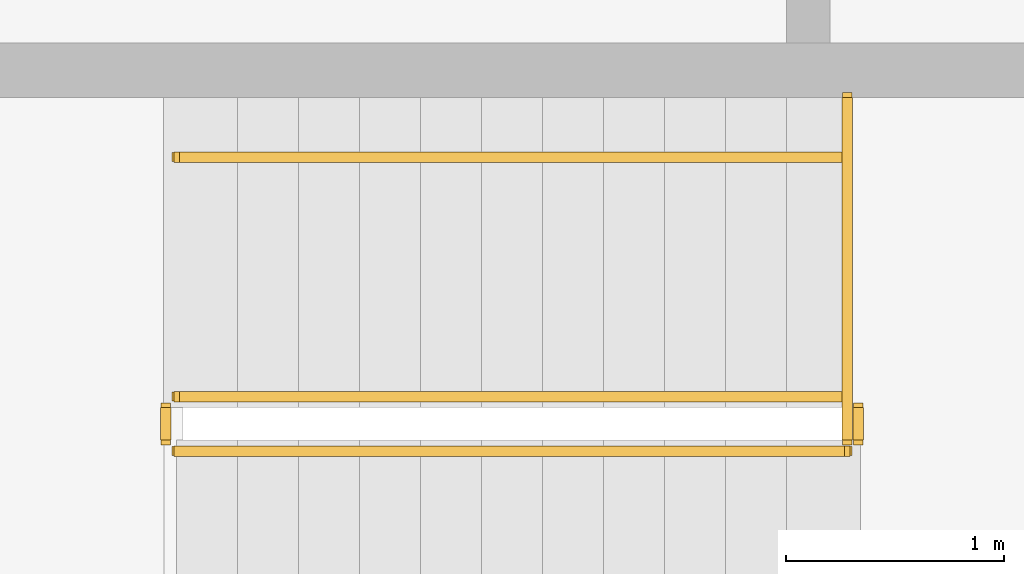
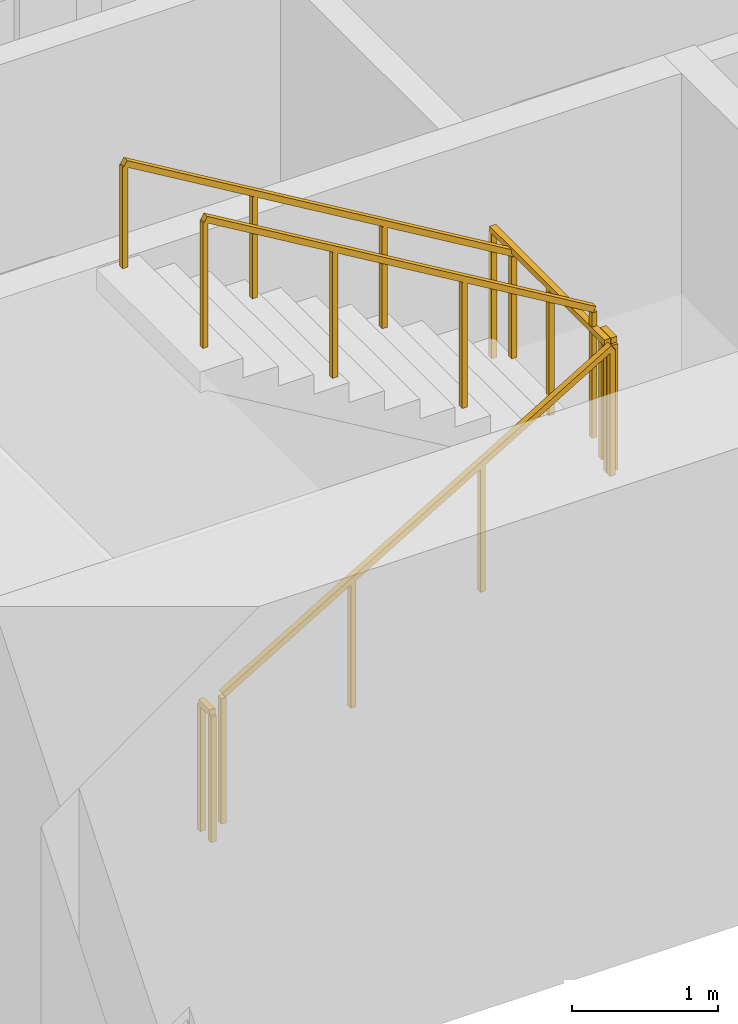
# One storey, part 14 of 17: 6 railings.
"""IFC4 building model written with IfcOpenShell, lengths in metres."""

from ifc_helpers import new_model, si_unit, direction, frame, origin, origin_2d, place, context, subcontext, project, spatial, rectangle, extrude, material, type_object, element, save


model = new_model("IFC4")

# Units and contexts
model_context = context("Model", 3, precision=1e-05, world=origin(), true_north=direction((0.0, 1.0)))
body_context = subcontext(model_context, "Body", "Model", "MODEL_VIEW")
ifc_project = project(units=[si_unit("LENGTHUNIT", "METRE"), si_unit("AREAUNIT", "SQUARE_METRE"), si_unit("VOLUMEUNIT", "CUBIC_METRE"), si_unit("PLANEANGLEUNIT", "RADIAN"), si_unit("MASSUNIT", "GRAM", prefix="KILO")], contexts=[model_context])

# Site, building, storey
site_placement = place(None, origin())
site = spatial("IfcSite", under=ifc_project, at=site_placement, CompositionType="ELEMENT")
building_placement = place(site_placement, origin())
building = spatial("IfcBuilding", under=site, at=building_placement, Name="Sennacour Bend Tower", CompositionType="ELEMENT")
storey_placement = place(building_placement, frame((0.0, 0.0, 199.0)))
storey = spatial("IfcBuildingStorey", under=building, at=storey_placement, Name="L45", CompositionType="ELEMENT", Elevation=199.0)

# Railings
ifc_material = material(Name="Stainless steel", Category="steel")
railing_type_1 = type_object("IfcRailingType", Name="RL-GUARD-1100", PredefinedType="GUARDRAIL", material=ifc_material)
railing_1_placement = place(storey_placement, frame((56.699951171875, 2.449951171875, 0.166748046875)))
element("IfcRailing", 1, at=railing_1_placement, inside=storey, type_object=railing_type_1, Name="L45 SA1 stair guard 1", PredefinedType="GUARDRAIL", context=body_context, shape_type="SweptSolid", body=[
    extrude(rectangle(XDim=0.048095703125, YDim=0.048095703125, at=origin_2d()), frame((0.0, 0.0, 1.076171875), z_axis=(0.859308565015, 0.0, 0.511457515432), x_axis=(0.0, 1.0, 0.0)), (0.0, 0.0, 1.0), 3.58447265625),
    extrude(rectangle(XDim=0.0419921875, YDim=0.0419921875, at=origin_2d()), origin(), (0.0, 0.0, 1.0), 1.052001953125),
    extrude(rectangle(XDim=0.0419921875, YDim=0.0419921875, at=origin_2d()), frame((1.026611328125, 0.0, 0.611083984375)), (0.0, 0.0, 1.0), 1.052001953125),
    extrude(rectangle(XDim=0.0419921875, YDim=0.0419921875, at=origin_2d()), frame((2.053466796875, 0.0, 1.22216796875)), (0.0, 0.0, 1.0), 1.052001953125),
    extrude(rectangle(XDim=0.0419921875, YDim=0.0419921875, at=origin_2d()), frame((3.080078125, 0.0, 1.833251953125)), (0.0, 0.0, 1.0), 1.052001953125),
])
railing_2_placement = place(storey_placement, frame((59.830078125, 2.5, 2.0)))
element("IfcRailing", 2, at=railing_2_placement, inside=storey, type_object=railing_type_1, Name="L45 SA1 stair guard 2", PredefinedType="GUARDRAIL", context=body_context, shape_type="SweptSolid", body=[
    extrude(rectangle(XDim=0.048095703125, YDim=0.048095703125, at=origin_2d()), frame((0.0, 0.0, 1.076171875), z_axis=(0.0, 1.0, 0.0), x_axis=(-1.0, 0.0, 0.0)), (0.0, 0.0, 1.0), 0.14990234375),
    extrude(rectangle(XDim=0.0419921875, YDim=0.0419921875, at=origin_2d()), origin(), (0.0, 0.0, 1.0), 1.052001953125),
    extrude(rectangle(XDim=0.0419921875, YDim=0.0419921875, at=origin_2d()), frame((0.0, 0.14990234375, 0.0)), (0.0, 0.0, 1.0), 1.052001953125),
])
railing_3_placement = place(storey_placement, frame((59.780029296875, 2.699951171875, 2.166748046875)))
element("IfcRailing", 3, at=railing_3_placement, inside=storey, type_object=railing_type_1, Name="L45 SA1 stair guard 4", PredefinedType="GUARDRAIL", context=body_context, shape_type="SweptSolid", body=[
    extrude(rectangle(XDim=0.048095703125, YDim=0.048095703125, at=origin_2d()), frame((0.0, 0.0, 1.076171875), z_axis=(-0.859308565015, 0.0, 0.511457515432), x_axis=(0.0, -1.0, 0.0)), (0.0, 0.0, 1.0), 3.58447265625),
    extrude(rectangle(XDim=0.0419921875, YDim=0.0419921875, at=origin_2d()), origin(), (0.0, 0.0, 1.0), 1.052001953125),
    extrude(rectangle(XDim=0.0419921875, YDim=0.0419921875, at=origin_2d()), frame((-1.026611328125, 0.0, 0.611083984375)), (0.0, 0.0, 1.0), 1.052001953125),
    extrude(rectangle(XDim=0.0419921875, YDim=0.0419921875, at=origin_2d()), frame((-2.053466796875, 0.0, 1.22216796875)), (0.0, 0.0, 1.0), 1.052001953125),
    extrude(rectangle(XDim=0.0419921875, YDim=0.0419921875, at=origin_2d()), frame((-3.080078125, 0.0, 1.833251953125)), (0.0, 0.0, 1.0), 1.052001953125),
])
railing_4_placement = place(storey_placement, frame((56.64990234375, 2.5, 0.0)))
element("IfcRailing", 4, at=railing_4_placement, inside=storey, type_object=railing_type_1, Name="L45 SA1 stair guard 5", PredefinedType="GUARDRAIL", context=body_context, shape_type="SweptSolid", body=[
    extrude(rectangle(XDim=0.048095703125, YDim=0.048095703125, at=origin_2d()), frame((0.0, 0.0, 1.076171875), z_axis=(0.0, 1.0, 0.0), x_axis=(-1.0, 0.0, 0.0)), (0.0, 0.0, 1.0), 0.14990234375),
    extrude(rectangle(XDim=0.0419921875, YDim=0.0419921875, at=origin_2d()), origin(), (0.0, 0.0, 1.0), 1.052001953125),
    extrude(rectangle(XDim=0.0419921875, YDim=0.0419921875, at=origin_2d()), frame((0.0, 0.14990234375, 0.0)), (0.0, 0.0, 1.0), 1.052001953125),
])
railing_5_placement = place(storey_placement, frame((59.780029296875, 2.5, 2.0)))
element("IfcRailing", 5, at=railing_5_placement, inside=storey, type_object=railing_type_1, Name="L45 SA1 landing edge guard 67", PredefinedType="GUARDRAIL", context=body_context, shape_type="SweptSolid", body=[
    extrude(rectangle(XDim=0.048095703125, YDim=0.048095703125, at=origin_2d()), frame((0.0, 0.0, 1.076171875), z_axis=(0.0, 1.0, 0.0), x_axis=(-1.0, 0.0, 0.0)), (0.0, 0.0, 1.0), 1.574951171875),
    extrude(rectangle(XDim=0.0419921875, YDim=0.0419921875, at=origin_2d()), origin(), (0.0, 0.0, 1.0), 1.052001953125),
    extrude(rectangle(XDim=0.0419921875, YDim=0.0419921875, at=origin_2d()), frame((0.0, 0.78759765625, 0.0)), (0.0, 0.0, 1.0), 1.052001953125),
    extrude(rectangle(XDim=0.0419921875, YDim=0.0419921875, at=origin_2d()), frame((0.0, 1.574951171875, 0.0)), (0.0, 0.0, 1.0), 1.052001953125),
])
railing_type_2 = type_object("IfcRailingType", Name="RL-HANDRAIL-900", PredefinedType="HANDRAIL", material=ifc_material)
railing_6_placement = place(storey_placement, frame((59.780029296875, 3.800048828125, 2.166748046875)))
element("IfcRailing", 6, at=railing_6_placement, inside=storey, type_object=railing_type_2, Name="L45 SA1 stair handrail 2", PredefinedType="HANDRAIL", context=body_context, shape_type="SweptSolid", body=[
    extrude(rectangle(XDim=0.048095703125, YDim=0.048095703125, at=origin_2d()), frame((0.0, 0.0, 0.8759765625), z_axis=(-0.859308565015, 0.0, 0.511457515432), x_axis=(0.0, -1.0, 0.0)), (0.0, 0.0, 1.0), 3.58447265625),
    extrude(rectangle(XDim=0.0419921875, YDim=0.0419921875, at=origin_2d()), origin(), (0.0, 0.0, 1.0), 0.851806640625),
    extrude(rectangle(XDim=0.0419921875, YDim=0.0419921875, at=origin_2d()), frame((-1.026611328125, 0.0, 0.611083984375)), (0.0, 0.0, 1.0), 0.851806640625),
    extrude(rectangle(XDim=0.0419921875, YDim=0.0419921875, at=origin_2d()), frame((-2.053466796875, 0.0, 1.22216796875)), (0.0, 0.0, 1.0), 0.851806640625),
    extrude(rectangle(XDim=0.0419921875, YDim=0.0419921875, at=origin_2d()), frame((-3.080078125, 0.0, 1.833251953125)), (0.0, 0.0, 1.0), 0.851806640625),
])

save(model, "model.ifc")
